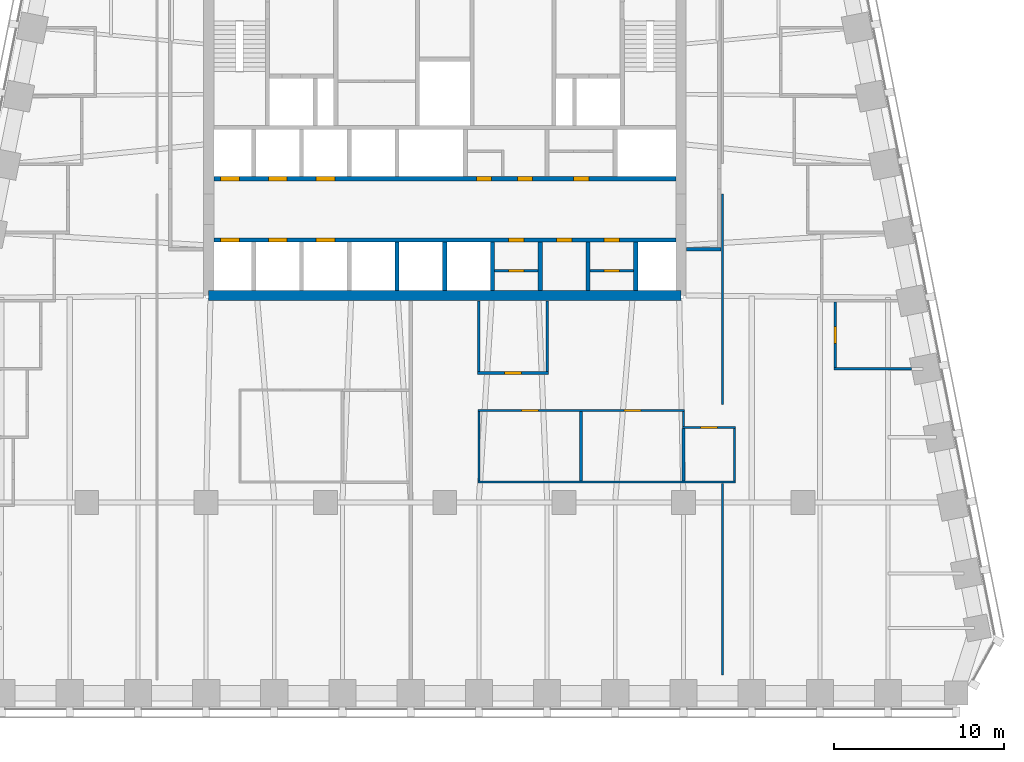
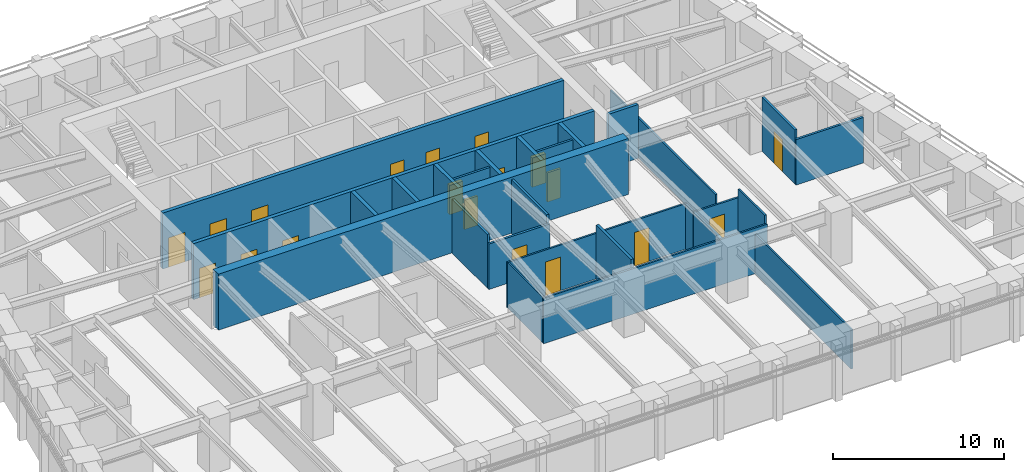
# One storey, part 6 of 10: 27 walls, 19 doors, 19 openings.
"""IFC4 building model written with IfcOpenShell, lengths in metres."""

from ifc_helpers import new_model, si_unit, direction, frame, frame_2d, origin, place, context, subcontext, project, spatial, rectangle, extrude, material, layer, layer_set, type_object, element, fill, save


model = new_model("IFC4")

# Units and contexts
model_context = context("Model", 3, precision=1e-05, world=origin(), true_north=direction((0.0, 1.0)))
body_context = subcontext(model_context, "Body", "Model", "MODEL_VIEW")
ifc_project = project(units=[si_unit("LENGTHUNIT", "METRE"), si_unit("AREAUNIT", "SQUARE_METRE"), si_unit("VOLUMEUNIT", "CUBIC_METRE"), si_unit("PLANEANGLEUNIT", "RADIAN"), si_unit("MASSUNIT", "GRAM", prefix="KILO")], contexts=[model_context])

# Site, building, storey
site_placement = place(None, origin())
site = spatial("IfcSite", under=ifc_project, at=site_placement, CompositionType="ELEMENT")
building_placement = place(site_placement, origin())
building = spatial("IfcBuilding", under=site, at=building_placement, Name="Isbrekke Arena Tower", CompositionType="ELEMENT")
storey_placement = place(building_placement, frame((0.0, 0.0, 198.0)))
storey = spatial("IfcBuildingStorey", under=building, at=storey_placement, Name="L45", CompositionType="ELEMENT", Elevation=198.0)

# Wall
ifc_material_1 = material(Name="Concrete B55 (C55/67)", Category="concrete")
ifc_layer_1 = layer(ifc_material_1, 0.60009765625)
ifc_layer_set_1 = layer_set([ifc_layer_1], Name="CW4 CORE WALL 600")
wall_type_1 = type_object("IfcWallType", Name="CW4 CORE WALL 600", PredefinedType="SHEAR", material=ifc_layer_set_1)
wall_1_placement = place(storey_placement, frame((-13.85009765625, 6.14990234375, 0.0), z_axis=(0.0, 0.0, 1.0), x_axis=(1.0, 0.0, 0.0)))
element("IfcWall", 1, at=wall_1_placement, inside=storey, type_object=wall_type_1, Name="Core wall S L45", PredefinedType="SHEAR", context=body_context, shape_type="SweptSolid", body=[
    extrude(rectangle(XDim=27.7001953125, YDim=0.60009765625, at=frame_2d((13.85009765625, 0.0))), origin(), (0.0, 0.0, 1.0), 4.0),
])

# Wall, openings, doors
ifc_material_2 = material(Name="Concrete B45 (C45/55)", Category="concrete")
ifc_layer_2 = layer(ifc_material_2, 0.25)
ifc_layer_set_2 = layer_set([ifc_layer_2], Name="CW6 SHAFT WALL 250")
wall_type_2 = type_object("IfcWallType", Name="CW6 SHAFT WALL 250", PredefinedType="SHEAR", material=ifc_layer_set_2)
wall_2_placement = place(storey_placement, frame((-13.550048828125, 9.39990234375, 0.0), z_axis=(0.0, 0.0, 1.0), x_axis=(1.0, 0.0, 0.0)))
wall_2 = element("IfcWall", 2, at=wall_2_placement, inside=storey, type_object=wall_type_2, Name="Core wall LS L45", PredefinedType="SHEAR", context=body_context, shape_type="SweptSolid", body=[
    extrude(rectangle(XDim=27.10009765625, YDim=0.25, at=frame_2d((13.550048828125, 0.0))), origin(), (0.0, 0.0, 1.0), 4.0),
])
opening_1_placement = place(wall_2_placement, frame((0.39990234375, 0.0, 0.0)))
opening_1 = element("IfcOpeningElement", 3, at=opening_1_placement, cuts=wall_2, Name="Opening LD1", PredefinedType="OPENING", context=body_context, shape_type="SweptSolid", body=[
    extrude(rectangle(XDim=1.10009765625, YDim=2.10009765625, at=frame_2d((0.550048828125, 1.050048828125))), frame((0.0, 0.139892578125, 0.0), z_axis=(0.0, -1.0, 0.0), x_axis=(1.0, 0.0, 0.0)), (0.0, 0.0, 1.0), 0.27978515625),
])
opening_2_placement = place(wall_2_placement, frame((3.199951171875, 0.0, 0.0)))
opening_2 = element("IfcOpeningElement", 4, at=opening_2_placement, cuts=wall_2, Name="Opening LD1", PredefinedType="OPENING", context=body_context, shape_type="SweptSolid", body=[
    extrude(rectangle(XDim=1.10009765625, YDim=2.10009765625, at=frame_2d((0.550048828125, 1.050048828125))), frame((0.0, 0.139892578125, 0.0), z_axis=(0.0, -1.0, 0.0), x_axis=(1.0, 0.0, 0.0)), (0.0, 0.0, 1.0), 0.27978515625),
])
opening_3_placement = place(wall_2_placement, frame((6.0, 0.0, 0.0)))
opening_3 = element("IfcOpeningElement", 5, at=opening_3_placement, cuts=wall_2, Name="Opening LD1", PredefinedType="OPENING", context=body_context, shape_type="SweptSolid", body=[
    extrude(rectangle(XDim=1.10009765625, YDim=2.10009765625, at=frame_2d((0.550048828125, 1.050048828125))), frame((0.0, 0.139892578125, 0.0), z_axis=(0.0, -1.0, 0.0), x_axis=(1.0, 0.0, 0.0)), (0.0, 0.0, 1.0), 0.27978515625),
])
opening_4_placement = place(wall_2_placement, frame((17.300048828125, 0.0, 0.0)))
opening_4 = element("IfcOpeningElement", 6, at=opening_4_placement, cuts=wall_2, Name="Opening D5", PredefinedType="OPENING", context=body_context, shape_type="SweptSolid", body=[
    extrude(rectangle(XDim=0.89990234375, YDim=2.10009765625, at=frame_2d((0.449951171875, 1.050048828125))), frame((0.0, 0.139892578125, 0.0), z_axis=(0.0, -1.0, 0.0), x_axis=(1.0, 0.0, 0.0)), (0.0, 0.0, 1.0), 0.27978515625),
])
opening_5_placement = place(wall_2_placement, frame((20.10009765625, 0.0, 0.0)))
opening_5 = element("IfcOpeningElement", 7, at=opening_5_placement, cuts=wall_2, Name="Opening D5", PredefinedType="OPENING", context=body_context, shape_type="SweptSolid", body=[
    extrude(rectangle(XDim=0.89990234375, YDim=2.10009765625, at=frame_2d((0.449951171875, 1.050048828125))), frame((0.0, 0.139892578125, 0.0), z_axis=(0.0, -1.0, 0.0), x_axis=(1.0, 0.0, 0.0)), (0.0, 0.0, 1.0), 0.27978515625),
])
opening_6_placement = place(wall_2_placement, frame((22.89990234375, 0.0, 0.0)))
opening_6 = element("IfcOpeningElement", 8, at=opening_6_placement, cuts=wall_2, Name="Opening D5", PredefinedType="OPENING", context=body_context, shape_type="SweptSolid", body=[
    extrude(rectangle(XDim=0.89990234375, YDim=2.10009765625, at=frame_2d((0.449951171875, 1.050048828125))), frame((0.0, 0.139892578125, 0.0), z_axis=(0.0, -1.0, 0.0), x_axis=(1.0, 0.0, 0.0)), (0.0, 0.0, 1.0), 0.27978515625),
])
ifc_material_3 = material(Name="Steel fire door", Category="steel")
door_type_1 = type_object("IfcDoorType", Name="D5 SERVICE DOOR 900 x 2100", OperationType="SINGLE_SWING_LEFT", PredefinedType="DOOR", material=ifc_material_3)
door_1_placement = place(opening_4_placement, origin())
door_1 = element("IfcDoor", 9, at=door_1_placement, inside=storey, type_object=door_type_1, Name="D5 first-aid room door L45", OperationType="SINGLE_SWING_LEFT", OverallHeight=2.10009765625, OverallWidth=0.89990234375, PredefinedType="DOOR", context=body_context, shape_type="SweptSolid", body=[
    extrude(rectangle(XDim=0.89990234375, YDim=2.10009765625, at=frame_2d((0.449951171875, 1.050048828125))), frame((0.0, 0.124755859375, 0.0), z_axis=(0.0, -1.0, 0.0), x_axis=(1.0, 0.0, 0.0)), (0.0, 0.0, 1.0), 0.24951171875),
])
fill(opening_4, door_1)
door_2_placement = place(opening_5_placement, origin())
door_2 = element("IfcDoor", 10, at=door_2_placement, inside=storey, type_object=door_type_1, Name="D5 tenant store door L45", OperationType="SINGLE_SWING_LEFT", OverallHeight=2.10009765625, OverallWidth=0.89990234375, PredefinedType="DOOR", context=body_context, shape_type="SweptSolid", body=[
    extrude(rectangle(XDim=0.89990234375, YDim=2.10009765625, at=frame_2d((0.449951171875, 1.050048828125))), frame((0.0, 0.124755859375, 0.0), z_axis=(0.0, -1.0, 0.0), x_axis=(1.0, 0.0, 0.0)), (0.0, 0.0, 1.0), 0.24951171875),
])
fill(opening_5, door_2)
door_3_placement = place(opening_6_placement, origin())
door_3 = element("IfcDoor", 11, at=door_3_placement, inside=storey, type_object=door_type_1, Name="D5 pantry door L45", OperationType="SINGLE_SWING_LEFT", OverallHeight=2.10009765625, OverallWidth=0.89990234375, PredefinedType="DOOR", context=body_context, shape_type="SweptSolid", body=[
    extrude(rectangle(XDim=0.89990234375, YDim=2.10009765625, at=frame_2d((0.449951171875, 1.050048828125))), frame((0.0, 0.124755859375, 0.0), z_axis=(0.0, -1.0, 0.0), x_axis=(1.0, 0.0, 0.0)), (0.0, 0.0, 1.0), 0.24951171875),
])
fill(opening_6, door_3)
ifc_material_4 = material(Name="Stainless steel lift landing door", Category="steel")
door_type_2 = type_object("IfcDoorType", Name="LD1 LIFT LANDING DOOR 1100 x 2100", OperationType="SLIDING_TO_LEFT", PredefinedType="DOOR", material=ifc_material_4)
door_4_placement = place(opening_1_placement, origin())
door_4 = element("IfcDoor", 12, at=door_4_placement, inside=storey, type_object=door_type_2, Name="LD1 lift landing door LC L45", OperationType="SLIDING_TO_LEFT", OverallHeight=2.10009765625, OverallWidth=1.10009765625, PredefinedType="DOOR", context=body_context, shape_type="SweptSolid", body=[
    extrude(rectangle(XDim=1.10009765625, YDim=2.10009765625, at=frame_2d((0.550048828125, 1.050048828125))), frame((0.0, 0.124755859375, 0.0), z_axis=(0.0, -1.0, 0.0), x_axis=(1.0, 0.0, 0.0)), (0.0, 0.0, 1.0), 0.24951171875),
])
fill(opening_1, door_4)
door_5_placement = place(opening_2_placement, origin())
door_5 = element("IfcDoor", 13, at=door_5_placement, inside=storey, type_object=door_type_2, Name="LD1 lift landing door LC L45", OperationType="SLIDING_TO_LEFT", OverallHeight=2.10009765625, OverallWidth=1.10009765625, PredefinedType="DOOR", context=body_context, shape_type="SweptSolid", body=[
    extrude(rectangle(XDim=1.10009765625, YDim=2.10009765625, at=frame_2d((0.550048828125, 1.050048828125))), frame((0.0, 0.124755859375, 0.0), z_axis=(0.0, -1.0, 0.0), x_axis=(1.0, 0.0, 0.0)), (0.0, 0.0, 1.0), 0.24951171875),
])
fill(opening_2, door_5)
door_6_placement = place(opening_3_placement, origin())
door_6 = element("IfcDoor", 14, at=door_6_placement, inside=storey, type_object=door_type_2, Name="LD1 lift landing door LC L45", OperationType="SLIDING_TO_LEFT", OverallHeight=2.10009765625, OverallWidth=1.10009765625, PredefinedType="DOOR", context=body_context, shape_type="SweptSolid", body=[
    extrude(rectangle(XDim=1.10009765625, YDim=2.10009765625, at=frame_2d((0.550048828125, 1.050048828125))), frame((0.0, 0.124755859375, 0.0), z_axis=(0.0, -1.0, 0.0), x_axis=(1.0, 0.0, 0.0)), (0.0, 0.0, 1.0), 0.24951171875),
])
fill(opening_3, door_6)

wall_3_placement = place(storey_placement, frame((-13.550048828125, 13.0, 0.0), z_axis=(0.0, 0.0, 1.0), x_axis=(1.0, 0.0, 0.0)))
wall_3 = element("IfcWall", 15, at=wall_3_placement, inside=storey, type_object=wall_type_2, Name="Core wall LN L45", PredefinedType="SHEAR", context=body_context, shape_type="SweptSolid", body=[
    extrude(rectangle(XDim=27.10009765625, YDim=0.25, at=frame_2d((13.550048828125, 0.0))), origin(), (0.0, 0.0, 1.0), 4.0),
])
opening_7_placement = place(wall_3_placement, frame((0.39990234375, 0.0, 0.0)))
opening_7 = element("IfcOpeningElement", 16, at=opening_7_placement, cuts=wall_3, Name="Opening LD1", PredefinedType="OPENING", context=body_context, shape_type="SweptSolid", body=[
    extrude(rectangle(XDim=1.10009765625, YDim=2.10009765625, at=frame_2d((0.550048828125, 1.050048828125))), frame((0.0, 0.139892578125, 0.0), z_axis=(0.0, -1.0, 0.0), x_axis=(1.0, 0.0, 0.0)), (0.0, 0.0, 1.0), 0.27978515625),
])
opening_8_placement = place(wall_3_placement, frame((3.199951171875, 0.0, 0.0)))
opening_8 = element("IfcOpeningElement", 17, at=opening_8_placement, cuts=wall_3, Name="Opening LD1", PredefinedType="OPENING", context=body_context, shape_type="SweptSolid", body=[
    extrude(rectangle(XDim=1.10009765625, YDim=2.10009765625, at=frame_2d((0.550048828125, 1.050048828125))), frame((0.0, 0.139892578125, 0.0), z_axis=(0.0, -1.0, 0.0), x_axis=(1.0, 0.0, 0.0)), (0.0, 0.0, 1.0), 0.27978515625),
])
opening_9_placement = place(wall_3_placement, frame((6.0, 0.0, 0.0)))
opening_9 = element("IfcOpeningElement", 18, at=opening_9_placement, cuts=wall_3, Name="Opening LD1", PredefinedType="OPENING", context=body_context, shape_type="SweptSolid", body=[
    extrude(rectangle(XDim=1.10009765625, YDim=2.10009765625, at=frame_2d((0.550048828125, 1.050048828125))), frame((0.0, 0.139892578125, 0.0), z_axis=(0.0, -1.0, 0.0), x_axis=(1.0, 0.0, 0.0)), (0.0, 0.0, 1.0), 0.27978515625),
])
opening_10_placement = place(wall_3_placement, frame((17.800048828125, 0.0, 0.0)))
opening_10 = element("IfcOpeningElement", 19, at=opening_10_placement, cuts=wall_3, Name="Opening D5", PredefinedType="OPENING", context=body_context, shape_type="SweptSolid", body=[
    extrude(rectangle(XDim=0.89990234375, YDim=2.10009765625, at=frame_2d((0.449951171875, 1.050048828125))), frame((0.0, 0.139892578125, 0.0), z_axis=(0.0, -1.0, 0.0), x_axis=(1.0, 0.0, 0.0)), (0.0, 0.0, 1.0), 0.27978515625),
])
opening_11_placement = place(wall_3_placement, frame((15.39990234375, 0.0, 0.0)))
opening_11 = element("IfcOpeningElement", 20, at=opening_11_placement, cuts=wall_3, Name="Opening D5", PredefinedType="OPENING", context=body_context, shape_type="SweptSolid", body=[
    extrude(rectangle(XDim=0.89990234375, YDim=2.10009765625, at=frame_2d((0.449951171875, 1.050048828125))), frame((0.0, 0.139892578125, 0.0), z_axis=(0.0, -1.0, 0.0), x_axis=(1.0, 0.0, 0.0)), (0.0, 0.0, 1.0), 0.27978515625),
])
opening_12_placement = place(wall_3_placement, frame((21.10009765625, 0.0, 0.0)))
opening_12 = element("IfcOpeningElement", 21, at=opening_12_placement, cuts=wall_3, Name="Opening D5", PredefinedType="OPENING", context=body_context, shape_type="SweptSolid", body=[
    extrude(rectangle(XDim=0.89990234375, YDim=2.10009765625, at=frame_2d((0.449951171875, 1.050048828125))), frame((0.0, 0.139892578125, 0.0), z_axis=(0.0, -1.0, 0.0), x_axis=(1.0, 0.0, 0.0)), (0.0, 0.0, 1.0), 0.27978515625),
])
door_7_placement = place(opening_10_placement, origin())
door_7 = element("IfcDoor", 22, at=door_7_placement, inside=storey, type_object=door_type_1, Name="D5 communications room door L45", OperationType="SINGLE_SWING_LEFT", OverallHeight=2.10009765625, OverallWidth=0.89990234375, PredefinedType="DOOR", context=body_context, shape_type="SweptSolid", body=[
    extrude(rectangle(XDim=0.89990234375, YDim=2.10009765625, at=frame_2d((0.449951171875, 1.050048828125))), frame((0.0, 0.124755859375, 0.0), z_axis=(0.0, -1.0, 0.0), x_axis=(1.0, 0.0, 0.0)), (0.0, 0.0, 1.0), 0.24951171875),
])
fill(opening_10, door_7)
door_8_placement = place(opening_11_placement, origin())
door_8 = element("IfcDoor", 23, at=door_8_placement, inside=storey, type_object=door_type_1, Name="D5 cleaner's store door L45", OperationType="SINGLE_SWING_LEFT", OverallHeight=2.10009765625, OverallWidth=0.89990234375, PredefinedType="DOOR", context=body_context, shape_type="SweptSolid", body=[
    extrude(rectangle(XDim=0.89990234375, YDim=2.10009765625, at=frame_2d((0.449951171875, 1.050048828125))), frame((0.0, 0.124755859375, 0.0), z_axis=(0.0, -1.0, 0.0), x_axis=(1.0, 0.0, 0.0)), (0.0, 0.0, 1.0), 0.24951171875),
])
fill(opening_11, door_8)
door_9_placement = place(opening_12_placement, origin())
door_9 = element("IfcDoor", 24, at=door_9_placement, inside=storey, type_object=door_type_1, Name="D5 tea point door L45", OperationType="SINGLE_SWING_LEFT", OverallHeight=2.10009765625, OverallWidth=0.89990234375, PredefinedType="DOOR", context=body_context, shape_type="SweptSolid", body=[
    extrude(rectangle(XDim=0.89990234375, YDim=2.10009765625, at=frame_2d((0.449951171875, 1.050048828125))), frame((0.0, 0.124755859375, 0.0), z_axis=(0.0, -1.0, 0.0), x_axis=(1.0, 0.0, 0.0)), (0.0, 0.0, 1.0), 0.24951171875),
])
fill(opening_12, door_9)
door_10_placement = place(opening_7_placement, origin())
door_10 = element("IfcDoor", 25, at=door_10_placement, inside=storey, type_object=door_type_2, Name="LD1 lift landing door LC L45", OperationType="SLIDING_TO_LEFT", OverallHeight=2.10009765625, OverallWidth=1.10009765625, PredefinedType="DOOR", context=body_context, shape_type="SweptSolid", body=[
    extrude(rectangle(XDim=1.10009765625, YDim=2.10009765625, at=frame_2d((0.550048828125, 1.050048828125))), frame((0.0, 0.124755859375, 0.0), z_axis=(0.0, -1.0, 0.0), x_axis=(1.0, 0.0, 0.0)), (0.0, 0.0, 1.0), 0.24951171875),
])
fill(opening_7, door_10)
door_11_placement = place(opening_8_placement, origin())
door_11 = element("IfcDoor", 26, at=door_11_placement, inside=storey, type_object=door_type_2, Name="LD1 lift landing door LC L45", OperationType="SLIDING_TO_LEFT", OverallHeight=2.10009765625, OverallWidth=1.10009765625, PredefinedType="DOOR", context=body_context, shape_type="SweptSolid", body=[
    extrude(rectangle(XDim=1.10009765625, YDim=2.10009765625, at=frame_2d((0.550048828125, 1.050048828125))), frame((0.0, 0.124755859375, 0.0), z_axis=(0.0, -1.0, 0.0), x_axis=(1.0, 0.0, 0.0)), (0.0, 0.0, 1.0), 0.24951171875),
])
fill(opening_8, door_11)
door_12_placement = place(opening_9_placement, origin())
door_12 = element("IfcDoor", 27, at=door_12_placement, inside=storey, type_object=door_type_2, Name="LD1 lift landing door LC L45", OperationType="SLIDING_TO_LEFT", OverallHeight=2.10009765625, OverallWidth=1.10009765625, PredefinedType="DOOR", context=body_context, shape_type="SweptSolid", body=[
    extrude(rectangle(XDim=1.10009765625, YDim=2.10009765625, at=frame_2d((0.550048828125, 1.050048828125))), frame((0.0, 0.124755859375, 0.0), z_axis=(0.0, -1.0, 0.0), x_axis=(1.0, 0.0, 0.0)), (0.0, 0.0, 1.0), 0.24951171875),
])
fill(opening_9, door_12)

# Walls
for number, where, z_axis, x_axis, name in (
    (28, (-2.800048828125, 6.449951171875, 0.0), (0.0, 0.0, 1.0), (0.0, 1.0, 0.0), "Core wall SS04 L45"),
    (29, (0.0, 6.449951171875, 0.0), (0.0, 0.0, 1.0), (0.0, 1.0, 0.0), "Core wall SS05 L45"),
    (30, (2.800048828125, 6.449951171875, 0.0), (0.0, 0.0, 1.0), (0.0, 1.0, 0.0), "Core wall SS06 L45"),
    (31, (5.60009765625, 6.449951171875, 0.0), (0.0, 0.0, 1.0), (0.0, 1.0, 0.0), "Core wall SS07 L45"),
    (32, (8.39990234375, 6.449951171875, 0.0), (0.0, 0.0, 1.0), (0.0, 1.0, 0.0), "Core wall SS08 L45"),
    (33, (11.199951171875, 6.449951171875, 0.0), (0.0, 0.0, 1.0), (0.0, 1.0, 0.0), "Core wall SS09 L45"),
):
    element("IfcWall", number, at=place(storey_placement, frame(where, z_axis=z_axis, x_axis=x_axis)), inside=storey, type_object=wall_type_2, Name=name, PredefinedType="SHEAR", context=body_context, shape_type="SweptSolid", body=[
        extrude(rectangle(XDim=2.824951171875, YDim=0.25, at=frame_2d((1.41259765625, 0.0))), origin(), (0.0, 0.0, 1.0), 4.0),
    ])

# Wall, opening, door
ifc_material_5 = material(Name="Gypsum board partition on steel studs", Category="steel")
ifc_layer_3 = layer(ifc_material_5, 0.14990234375)
ifc_layer_set_3 = layer_set([ifc_layer_3], Name="IW1 PARTITION 150")
wall_type_3 = type_object("IfcWallType", Name="IW1 PARTITION 150", PredefinedType="PARTITIONING", material=ifc_layer_set_3)
wall_4_placement = place(storey_placement, frame((1.925048828125, 1.60009765625, 0.0), z_axis=(0.0, 0.0, 1.0), x_axis=(1.0, 0.0, 0.0)))
wall_4 = element("IfcWall", 34, at=wall_4_placement, inside=storey, type_object=wall_type_3, Name="IW1 partition 150 L45", PredefinedType="PARTITIONING", context=body_context, shape_type="SweptSolid", body=[
    extrude(rectangle(XDim=4.14990234375, YDim=0.14990234375, at=frame_2d((2.074951171875, 0.0))), origin(), (0.0, 0.0, 1.0), 3.25),
])
opening_13_placement = place(wall_4_placement, frame((1.574951171875, 0.0, 0.0)))
opening_13 = element("IfcOpeningElement", 35, at=opening_13_placement, cuts=wall_4, Name="Opening D10", PredefinedType="OPENING", context=body_context, shape_type="SweptSolid", body=[
    extrude(rectangle(XDim=1.0, YDim=2.300048828125, at=frame_2d((0.5, 1.14990234375))), frame((0.0, 0.08984375, 0.0), z_axis=(0.0, -1.0, 0.0), x_axis=(1.0, 0.0, 0.0)), (0.0, 0.0, 1.0), 0.1796875),
])
ifc_material_6 = material(Name="Timber door", Category="wood")
door_type_3 = type_object("IfcDoorType", Name="D10 OFFICE DOOR 1000 x 2300", OperationType="SINGLE_SWING_LEFT", PredefinedType="DOOR", material=ifc_material_6)
door_13_placement = place(opening_13_placement, origin())
door_13 = element("IfcDoor", 36, at=door_13_placement, inside=storey, type_object=door_type_3, Name="D10 pantry door L45", OperationType="SINGLE_SWING_LEFT", OverallHeight=2.300048828125, OverallWidth=1.0, PredefinedType="DOOR", context=body_context, shape_type="SweptSolid", body=[
    extrude(rectangle(XDim=1.0, YDim=2.300048828125, at=frame_2d((0.5, 1.14990234375))), frame((0.0, 0.07470703125, 0.0), z_axis=(0.0, -1.0, 0.0), x_axis=(1.0, 0.0, 0.0)), (0.0, 0.0, 1.0), 0.1494140625),
])
fill(opening_13, door_13)

# Walls
wall_5_placement = place(storey_placement, frame((22.824951171875, 1.840087890625, 0.0), z_axis=(0.0, 0.0, 1.0), x_axis=(1.0, 0.0, 0.0)))
element("IfcWall", 37, at=wall_5_placement, inside=storey, type_object=wall_type_3, Name="IW1 partition 150 L45", PredefinedType="PARTITIONING", context=body_context, shape_type="SweptSolid", body=[
    extrude(rectangle(XDim=4.5498046875, YDim=0.14990234375, at=frame_2d((2.27490234375, 0.0))), origin(), (0.0, 0.0, 1.0), 3.25),
])
for number, where, z_axis, x_axis, name in (
    (38, (2.0, 1.675048828125, 0.0), (0.0, 0.0, 1.0), (0.0, 1.0, 0.0), "IW1 partition 150 L45"),
    (39, (6.0, 1.675048828125, 0.0), (0.0, 0.0, 1.0), (0.0, 1.0, 0.0), "IW1 partition 150 L45"),
):
    element("IfcWall", number, at=place(storey_placement, frame(where, z_axis=z_axis, x_axis=x_axis)), inside=storey, type_object=wall_type_3, Name=name, PredefinedType="PARTITIONING", context=body_context, shape_type="SweptSolid", body=[
        extrude(rectangle(XDim=4.14501953125, YDim=0.14990234375, at=frame_2d((2.072509765625, 0.0))), origin(), (0.0, 0.0, 1.0), 3.85009765625),
    ])

# Wall, opening, door
wall_6_placement = place(storey_placement, frame((22.89990234375, 1.9150390625, 0.0), z_axis=(0.0, 0.0, 1.0), x_axis=(0.0, 1.0, 0.0)))
wall_6 = element("IfcWall", 40, at=wall_6_placement, inside=storey, type_object=wall_type_3, Name="IW1 partition 150 L45", PredefinedType="PARTITIONING", context=body_context, shape_type="SweptSolid", body=[
    extrude(rectangle(XDim=3.849853515625, YDim=0.14990234375, at=frame_2d((1.9248046875, 0.0))), origin(), (0.0, 0.0, 1.0), 3.85009765625),
])
opening_14_placement = place(wall_6_placement, frame((1.425048828125, 0.0, 0.0)))
opening_14 = element("IfcOpeningElement", 41, at=opening_14_placement, cuts=wall_6, Name="Opening D10", PredefinedType="OPENING", context=body_context, shape_type="SweptSolid", body=[
    extrude(rectangle(XDim=1.0, YDim=2.300048828125, at=frame_2d((0.5, 1.14990234375))), frame((0.0, 0.08984375, 0.0), z_axis=(0.0, -1.0, 0.0), x_axis=(1.0, 0.0, 0.0)), (0.0, 0.0, 1.0), 0.1796875),
])
door_14_placement = place(opening_14_placement, origin())
door_14 = element("IfcDoor", 42, at=door_14_placement, inside=storey, type_object=door_type_3, Name="D10 office door L45", OperationType="SINGLE_SWING_LEFT", OverallHeight=2.300048828125, OverallWidth=1.0, PredefinedType="DOOR", context=body_context, shape_type="SweptSolid", body=[
    extrude(rectangle(XDim=1.0, YDim=2.300048828125, at=frame_2d((0.5, 1.14990234375))), frame((0.0, 0.07470703125, 0.0), z_axis=(0.0, -1.0, 0.0), x_axis=(1.0, 0.0, 0.0)), (0.0, 0.0, 1.0), 0.1494140625),
])
fill(opening_14, door_14)

# Wall
ifc_material_7 = material(Name="Frameless glazed partition, laminated acoustic glass", Category="glass")
ifc_layer_4 = layer(ifc_material_7, 0.1201171875)
ifc_layer_set_4 = layer_set([ifc_layer_4], Name="IW2 GLAZED PARTITION 120")
wall_type_4 = type_object("IfcWallType", Name="IW2 GLAZED PARTITION 120", PredefinedType="PARTITIONING", material=ifc_layer_set_4)
wall_7_placement = place(storey_placement, frame((1.93994140625, -4.800048828125, 0.0), z_axis=(0.0, 0.0, 1.0), x_axis=(1.0, 0.0, 0.0)))
element("IfcWall", 43, at=wall_7_placement, inside=storey, type_object=wall_type_4, Name="IW2 glazed partition 120 L45", PredefinedType="PARTITIONING", context=body_context, shape_type="SweptSolid", body=[
    extrude(rectangle(XDim=15.1201171875, YDim=0.1201171875, at=frame_2d((7.56005859375, 0.0))), origin(), (0.0, 0.0, 1.0), 3.25),
])

# Wall, opening, door
wall_8_placement = place(storey_placement, frame((13.93994140625, -1.60009765625, 0.0), z_axis=(0.0, 0.0, 1.0), x_axis=(1.0, 0.0, 0.0)))
wall_8 = element("IfcWall", 44, at=wall_8_placement, inside=storey, type_object=wall_type_4, Name="IW2 glazed partition 120 L45", PredefinedType="PARTITIONING", context=body_context, shape_type="SweptSolid", body=[
    extrude(rectangle(XDim=3.1201171875, YDim=0.1201171875, at=frame_2d((1.56005859375, 0.0))), origin(), (0.0, 0.0, 1.0), 3.25),
])
opening_15_placement = place(wall_8_placement, frame((1.06005859375, 0.0, 0.0)))
opening_15 = element("IfcOpeningElement", 45, at=opening_15_placement, cuts=wall_8, Name="Opening D11", PredefinedType="OPENING", context=body_context, shape_type="SweptSolid", body=[
    extrude(rectangle(XDim=1.0, YDim=2.39990234375, at=frame_2d((0.5, 1.199951171875))), frame((0.0, 0.074951171875, 0.0), z_axis=(0.0, -1.0, 0.0), x_axis=(1.0, 0.0, 0.0)), (0.0, 0.0, 1.0), 0.14990234375),
])
ifc_material_8 = material(Name="Frameless glazed door", Category="glass")
door_type_4 = type_object("IfcDoorType", Name="D11 GLAZED MEETING ROOM DOOR 1000 x 2400", OperationType="SINGLE_SWING_RIGHT", PredefinedType="DOOR", material=ifc_material_8)
door_15_placement = place(opening_15_placement, origin())
door_15 = element("IfcDoor", 46, at=door_15_placement, inside=storey, type_object=door_type_4, Name="D11 quiet room door L45", OperationType="SINGLE_SWING_RIGHT", OverallHeight=2.39990234375, OverallWidth=1.0, PredefinedType="DOOR", context=body_context, shape_type="SweptSolid", body=[
    extrude(rectangle(XDim=1.0, YDim=2.39990234375, at=frame_2d((0.5, 1.199951171875))), frame((0.0, 0.059814453125, 0.0), z_axis=(0.0, -1.0, 0.0), x_axis=(1.0, 0.0, 0.0)), (0.0, 0.0, 1.0), 0.11962890625),
])
fill(opening_15, door_15)

# Wall, openings, doors
wall_9_placement = place(storey_placement, frame((1.93994140625, -0.60009765625, 0.0), z_axis=(0.0, 0.0, 1.0), x_axis=(1.0, 0.0, 0.0)))
wall_9 = element("IfcWall", 47, at=wall_9_placement, inside=storey, type_object=wall_type_4, Name="IW2 glazed partition 120 L45", PredefinedType="PARTITIONING", context=body_context, shape_type="SweptSolid", body=[
    extrude(rectangle(XDim=12.1201171875, YDim=0.1201171875, at=frame_2d((6.06005859375, 0.0))), origin(), (0.0, 0.0, 1.0), 3.25),
])
opening_16_placement = place(wall_9_placement, frame((2.56005859375, 0.0, 0.0)))
opening_16 = element("IfcOpeningElement", 48, at=opening_16_placement, cuts=wall_9, Name="Opening D11", PredefinedType="OPENING", context=body_context, shape_type="SweptSolid", body=[
    extrude(rectangle(XDim=1.0, YDim=2.39990234375, at=frame_2d((0.5, 1.199951171875))), frame((0.0, 0.074951171875, 0.0), z_axis=(0.0, -1.0, 0.0), x_axis=(1.0, 0.0, 0.0)), (0.0, 0.0, 1.0), 0.14990234375),
])
opening_17_placement = place(wall_9_placement, frame((8.56005859375, 0.0, 0.0)))
opening_17 = element("IfcOpeningElement", 49, at=opening_17_placement, cuts=wall_9, Name="Opening D11", PredefinedType="OPENING", context=body_context, shape_type="SweptSolid", body=[
    extrude(rectangle(XDim=1.0, YDim=2.39990234375, at=frame_2d((0.5, 1.199951171875))), frame((0.0, 0.074951171875, 0.0), z_axis=(0.0, -1.0, 0.0), x_axis=(1.0, 0.0, 0.0)), (0.0, 0.0, 1.0), 0.14990234375),
])
door_16_placement = place(opening_16_placement, origin())
door_16 = element("IfcDoor", 50, at=door_16_placement, inside=storey, type_object=door_type_4, Name="D11 meeting room door L45", OperationType="SINGLE_SWING_RIGHT", OverallHeight=2.39990234375, OverallWidth=1.0, PredefinedType="DOOR", context=body_context, shape_type="SweptSolid", body=[
    extrude(rectangle(XDim=1.0, YDim=2.39990234375, at=frame_2d((0.5, 1.199951171875))), frame((0.0, 0.059814453125, 0.0), z_axis=(0.0, -1.0, 0.0), x_axis=(1.0, 0.0, 0.0)), (0.0, 0.0, 1.0), 0.11962890625),
])
fill(opening_16, door_16)
door_17_placement = place(opening_17_placement, origin())
door_17 = element("IfcDoor", 51, at=door_17_placement, inside=storey, type_object=door_type_4, Name="D11 meeting room door L45", OperationType="SINGLE_SWING_RIGHT", OverallHeight=2.39990234375, OverallWidth=1.0, PredefinedType="DOOR", context=body_context, shape_type="SweptSolid", body=[
    extrude(rectangle(XDim=1.0, YDim=2.39990234375, at=frame_2d((0.5, 1.199951171875))), frame((0.0, 0.059814453125, 0.0), z_axis=(0.0, -1.0, 0.0), x_axis=(1.0, 0.0, 0.0)), (0.0, 0.0, 1.0), 0.11962890625),
])
fill(opening_17, door_17)

# Walls
wall_10_placement = place(storey_placement, frame((2.0, -4.739990234375, 0.0), z_axis=(0.0, 0.0, 1.0), x_axis=(0.0, 1.0, 0.0)))
element("IfcWall", 52, at=wall_10_placement, inside=storey, type_object=wall_type_4, Name="IW2 glazed partition 120 L45", PredefinedType="PARTITIONING", context=body_context, shape_type="SweptSolid", body=[
    extrude(rectangle(XDim=4.080078125, YDim=0.1201171875, at=frame_2d((2.0400390625, 0.0))), origin(), (0.0, 0.0, 1.0), 3.25),
])
wall_11_placement = place(storey_placement, frame((14.0, -1.5400390625, 0.0), z_axis=(0.0, 0.0, 1.0), x_axis=(0.0, 1.0, 0.0)))
element("IfcWall", 53, at=wall_11_placement, inside=storey, type_object=wall_type_4, Name="IW2 glazed partition 120 L45", PredefinedType="PARTITIONING", context=body_context, shape_type="SweptSolid", body=[
    extrude(rectangle(XDim=0.880126953125, YDim=0.1201171875, at=frame_2d((0.43994140625, 0.0))), origin(), (0.0, 0.0, 1.0), 3.25),
])
wall_12_placement = place(storey_placement, frame((17.0, -4.739990234375, 0.0), z_axis=(0.0, 0.0, 1.0), x_axis=(0.0, 1.0, 0.0)))
element("IfcWall", 54, at=wall_12_placement, inside=storey, type_object=wall_type_4, Name="IW2 glazed partition 120 L45", PredefinedType="PARTITIONING", context=body_context, shape_type="SweptSolid", body=[
    extrude(rectangle(XDim=3.080078125, YDim=0.1201171875, at=frame_2d((1.5400390625, 0.0))), origin(), (0.0, 0.0, 1.0), 3.85009765625),
])
wall_13_placement = place(storey_placement, frame((16.281005859375, -16.10009765625, 0.0), z_axis=(0.0, 0.0, 1.0), x_axis=(0.0, 1.0, 0.0)))
element("IfcWall", 55, at=wall_13_placement, inside=storey, type_object=wall_type_4, Name="IW2 glazed partition 120 L45", PredefinedType="PARTITIONING", context=body_context, shape_type="SweptSolid", body=[
    extrude(rectangle(XDim=11.22021484375, YDim=0.1201171875, at=frame_2d((5.610107421875, 0.0))), origin(), (0.0, 0.0, 1.0), 2.842041015625),
])
wall_14_placement = place(storey_placement, frame((16.281005859375, -0.239990234375, 0.0), z_axis=(0.0, 0.0, 1.0), x_axis=(0.0, 1.0, 0.0)))
element("IfcWall", 56, at=wall_14_placement, inside=storey, type_object=wall_type_4, Name="IW2 glazed partition 120 L45", PredefinedType="PARTITIONING", context=body_context, shape_type="SweptSolid", body=[
    extrude(rectangle(XDim=12.340087890625, YDim=0.1201171875, at=frame_2d((6.169921875, 0.0))), origin(), (0.0, 0.0, 1.0), 2.842041015625),
])
ifc_material_9 = material(Name="Gypsum board fire-cell wall on steel studs, two layers each side", Category="steel")
ifc_layer_5 = layer(ifc_material_9, 0.199951171875)
ifc_layer_set_5 = layer_set([ifc_layer_5], Name="IW3 FIRE-CELL WALL 200")
wall_type_5 = type_object("IfcWallType", Name="IW3 FIRE-CELL WALL 200", PredefinedType="PARTITIONING", material=ifc_layer_set_5)
wall_15_placement = place(storey_placement, frame((14.179931640625, 8.85009765625, 0.0), z_axis=(0.0, 0.0, 1.0), x_axis=(1.0, 0.0, 0.0)))
element("IfcWall", 57, at=wall_15_placement, inside=storey, type_object=wall_type_5, Name="IW3 fire-cell wall 200 L45", PredefinedType="PARTITIONING", context=body_context, shape_type="SweptSolid", body=[
    extrude(rectangle(XDim=2.02001953125, YDim=0.199951171875, at=frame_2d((1.010009765625, 0.0))), origin(), (0.0, 0.0, 1.0), 3.85009765625),
])
ifc_material_10 = material(Name="Gypsum board acoustic partition on twin steel studs", Category="steel")
ifc_layer_6 = layer(ifc_material_10, 0.175048828125)
ifc_layer_set_6 = layer_set([ifc_layer_6], Name="IW4 ACOUSTIC PARTITION 175")
wall_type_6 = type_object("IfcWallType", Name="IW4 ACOUSTIC PARTITION 175", PredefinedType="PARTITIONING", material=ifc_layer_set_6)
wall_16_placement = place(storey_placement, frame((8.0, -4.739990234375, 0.0), z_axis=(0.0, 0.0, 1.0), x_axis=(0.0, 1.0, 0.0)))
element("IfcWall", 58, at=wall_16_placement, inside=storey, type_object=wall_type_6, Name="IW4 acoustic partition 175 L45", PredefinedType="PARTITIONING", context=body_context, shape_type="SweptSolid", body=[
    extrude(rectangle(XDim=4.080078125, YDim=0.175048828125, at=frame_2d((2.0400390625, 0.0))), origin(), (0.0, 0.0, 1.0), 3.85009765625),
])
wall_17_placement = place(storey_placement, frame((14.0, -4.739990234375, 0.0), z_axis=(0.0, 0.0, 1.0), x_axis=(0.0, 1.0, 0.0)))
element("IfcWall", 59, at=wall_17_placement, inside=storey, type_object=wall_type_6, Name="IW4 acoustic partition 175 L45", PredefinedType="PARTITIONING", context=body_context, shape_type="SweptSolid", body=[
    extrude(rectangle(XDim=3.080078125, YDim=0.175048828125, at=frame_2d((1.5400390625, 0.0))), origin(), (0.0, 0.0, 1.0), 3.25),
])

# Wall, opening, door
ifc_material_11 = material(Name="Gypsum board fire-rated partition on steel studs, two layers each side", Category="steel")
ifc_layer_7 = layer(ifc_material_11, 0.14990234375)
ifc_layer_set_7 = layer_set([ifc_layer_7], Name="IW5 FIRE-RATED PARTITION 150")
wall_type_7 = type_object("IfcWallType", Name="IW5 FIRE-RATED PARTITION 150", PredefinedType="PARTITIONING", material=ifc_layer_set_7)
wall_18_placement = place(storey_placement, frame((2.925048828125, 7.60009765625, 0.0), z_axis=(0.0, 0.0, 1.0), x_axis=(1.0, 0.0, 0.0)))
wall_18 = element("IfcWall", 60, at=wall_18_placement, inside=storey, type_object=wall_type_7, Name="IW5 fire-rated partition L45 core service rooms 4", PredefinedType="PARTITIONING", context=body_context, shape_type="SweptSolid", body=[
    extrude(rectangle(XDim=2.550048828125, YDim=0.14990234375, at=frame_2d((1.27490234375, 0.0))), origin(), (0.0, 0.0, 1.0), 3.85009765625),
])
opening_18_placement = place(wall_18_placement, frame((0.824951171875, 0.0, 0.0)))
opening_18 = element("IfcOpeningElement", 61, at=opening_18_placement, cuts=wall_18, Name="Opening D5", PredefinedType="OPENING", context=body_context, shape_type="SweptSolid", body=[
    extrude(rectangle(XDim=0.89990234375, YDim=2.10009765625, at=frame_2d((0.449951171875, 1.050048828125))), frame((0.0, 0.08984375, 0.0), z_axis=(0.0, -1.0, 0.0), x_axis=(1.0, 0.0, 0.0)), (0.0, 0.0, 1.0), 0.1796875),
])
door_18_placement = place(opening_18_placement, origin())
door_18 = element("IfcDoor", 62, at=door_18_placement, inside=storey, type_object=door_type_1, Name="D5 store door L45", OperationType="SINGLE_SWING_LEFT", OverallHeight=2.10009765625, OverallWidth=0.89990234375, PredefinedType="DOOR", context=body_context, shape_type="SweptSolid", body=[
    extrude(rectangle(XDim=0.89990234375, YDim=2.10009765625, at=frame_2d((0.449951171875, 1.050048828125))), frame((0.0, 0.07470703125, 0.0), z_axis=(0.0, -1.0, 0.0), x_axis=(1.0, 0.0, 0.0)), (0.0, 0.0, 1.0), 0.1494140625),
])
fill(opening_18, door_18)

wall_19_placement = place(storey_placement, frame((8.52490234375, 7.60009765625, 0.0), z_axis=(0.0, 0.0, 1.0), x_axis=(1.0, 0.0, 0.0)))
wall_19 = element("IfcWall", 63, at=wall_19_placement, inside=storey, type_object=wall_type_7, Name="IW5 fire-rated partition L45 core service rooms 5", PredefinedType="PARTITIONING", context=body_context, shape_type="SweptSolid", body=[
    extrude(rectangle(XDim=2.550048828125, YDim=0.14990234375, at=frame_2d((1.27490234375, 0.0))), origin(), (0.0, 0.0, 1.0), 3.85009765625),
])
opening_19_placement = place(wall_19_placement, frame((0.824951171875, 0.0, 0.0)))
opening_19 = element("IfcOpeningElement", 64, at=opening_19_placement, cuts=wall_19, Name="Opening D5", PredefinedType="OPENING", context=body_context, shape_type="SweptSolid", body=[
    extrude(rectangle(XDim=0.89990234375, YDim=2.10009765625, at=frame_2d((0.449951171875, 1.050048828125))), frame((0.0, 0.08984375, 0.0), z_axis=(0.0, -1.0, 0.0), x_axis=(1.0, 0.0, 0.0)), (0.0, 0.0, 1.0), 0.1796875),
])
door_19_placement = place(opening_19_placement, origin())
door_19 = element("IfcDoor", 65, at=door_19_placement, inside=storey, type_object=door_type_1, Name="D5 archive door L45", OperationType="SINGLE_SWING_LEFT", OverallHeight=2.10009765625, OverallWidth=0.89990234375, PredefinedType="DOOR", context=body_context, shape_type="SweptSolid", body=[
    extrude(rectangle(XDim=0.89990234375, YDim=2.10009765625, at=frame_2d((0.449951171875, 1.050048828125))), frame((0.0, 0.07470703125, 0.0), z_axis=(0.0, -1.0, 0.0), x_axis=(1.0, 0.0, 0.0)), (0.0, 0.0, 1.0), 0.1494140625),
])
fill(opening_19, door_19)

save(model, "model.ifc")
